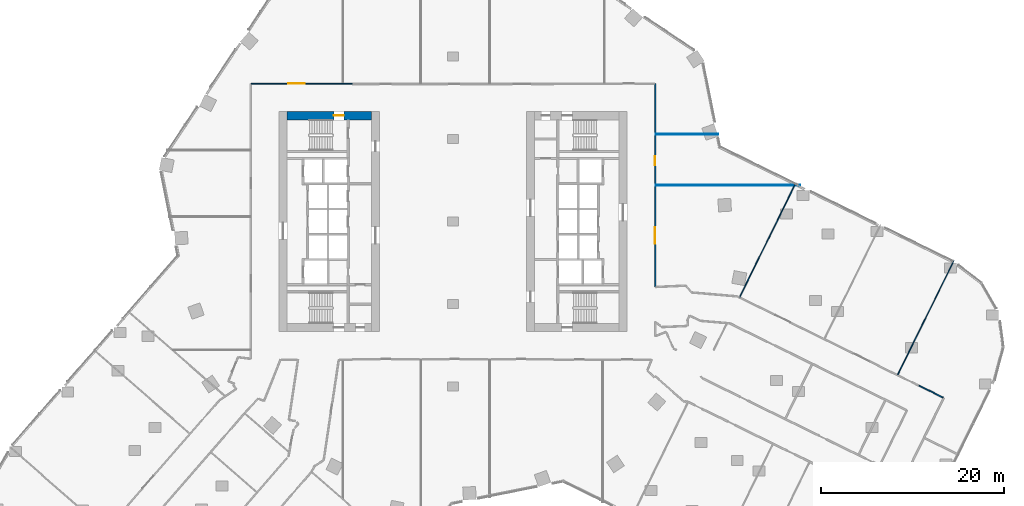
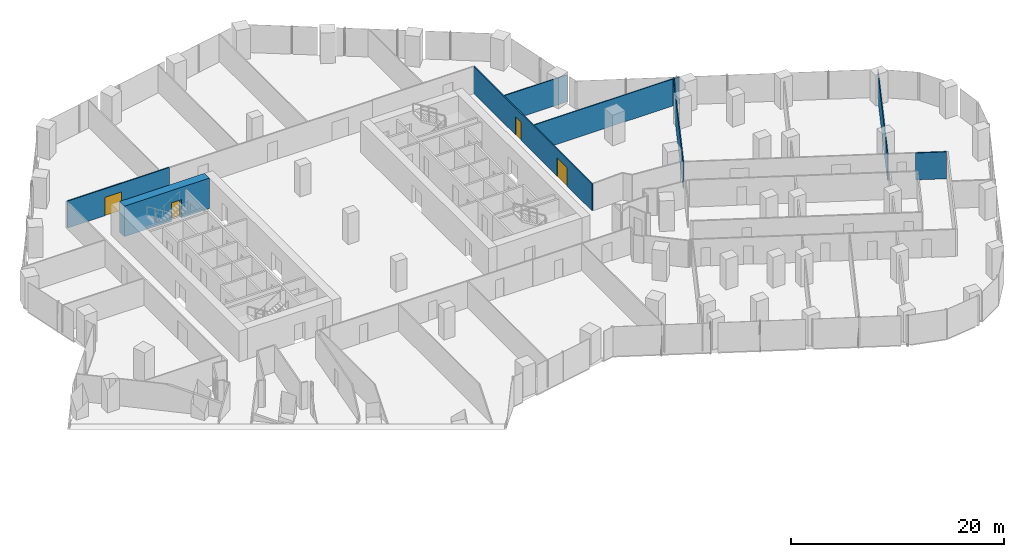
# One storey, part 31 of 38: 8 walls, 4 doors, 4 openings.
"""IFC4 building model written with IfcOpenShell, lengths in metres."""

from ifc_helpers import new_model, si_unit, direction, frame, frame_2d, origin, place, context, subcontext, project, spatial, rectangle, extrude, material, layer, layer_set, type_object, element, fill, save


model = new_model("IFC4")

# Units and contexts
model_context = context("Model", 3, precision=1e-05, world=origin(), true_north=direction((0.0, 1.0)))
body_context = subcontext(model_context, "Body", "Model", "MODEL_VIEW")
ifc_project = project(units=[si_unit("LENGTHUNIT", "METRE"), si_unit("AREAUNIT", "SQUARE_METRE"), si_unit("VOLUMEUNIT", "CUBIC_METRE"), si_unit("PLANEANGLEUNIT", "RADIAN"), si_unit("MASSUNIT", "GRAM", prefix="KILO")], contexts=[model_context])

# Site, building, storey
site_placement = place(None, origin())
site = spatial("IfcSite", under=ifc_project, at=site_placement, CompositionType="ELEMENT")
building_placement = place(site_placement, origin())
building = spatial("IfcBuilding", under=site, at=building_placement, Name="Orlundy Tower", CompositionType="ELEMENT")
storey_placement = place(building_placement, frame((0.0, 0.0, 62.300048828125)))
storey = spatial("IfcBuildingStorey", under=building, at=storey_placement, Name="L14", CompositionType="ELEMENT", Elevation=62.300048828125)

# Wall, opening, door
ifc_material_1 = material(Name="Concrete C80/95", Category="concrete")
ifc_layer_1 = layer(ifc_material_1, 0.89990234375)
ifc_layer_set_1 = layer_set([ifc_layer_1], Name="CORE WALL 900 C80/95")
wall_type_1 = type_object("IfcWallType", Name="CORE WALL 900 C80/95", PredefinedType="SHEAR", material=ifc_layer_set_1)
wall_1_placement = place(storey_placement, frame((-18.10009765625, 11.550048828125, 0.0), z_axis=(0.0, 0.0, 1.0), x_axis=(1.0, 0.0, 0.0)))
wall_1 = element("IfcWall", 1, at=wall_1_placement, inside=storey, type_object=wall_type_1, Name="Core wall W-N L14", PredefinedType="SHEAR", context=body_context, shape_type="SweptSolid", body=[
    extrude(rectangle(XDim=9.2001953125, YDim=0.89990234375, at=frame_2d((4.60009765625, 0.0))), origin(), (0.0, 0.0, 1.0), 3.5),
])
opening_1_placement = place(wall_1_placement, frame((5.10009765625, 0.0, 0.0)))
opening_1 = element("IfcOpeningElement", 2, at=opening_1_placement, cuts=wall_1, Name="Opening 13012", PredefinedType="OPENING", context=body_context, shape_type="SweptSolid", body=[
    extrude(rectangle(XDim=1.10009765625, YDim=2.10009765625, at=frame_2d((0.550048828125, 1.050048828125))), frame((0.0, 0.4599609375, 0.0), z_axis=(0.0, -1.0, 0.0), x_axis=(1.0, 0.0, 0.0)), (0.0, 0.0, 1.0), 0.919921875),
])
ifc_material_2 = material(Name="Steel door set", Category="steel")
door_type_1 = type_object("IfcDoorType", Name="Stair Door 1100x2100", OperationType="SINGLE_SWING_LEFT", PredefinedType="DOOR", material=ifc_material_2)
door_1_placement = place(opening_1_placement, origin())
door_1 = element("IfcDoor", 3, at=door_1_placement, inside=storey, type_object=door_type_1, Name="Stair door 13012", OperationType="SINGLE_SWING_RIGHT", OverallHeight=2.10009765625, OverallWidth=1.10009765625, PredefinedType="DOOR", context=body_context, shape_type="SweptSolid", body=[
    extrude(rectangle(XDim=1.10009765625, YDim=2.10009765625, at=frame_2d((0.550048828125, 1.050048828125))), frame((0.0, 0.02490234375, 0.0), z_axis=(0.0, -1.0, 0.0), x_axis=(1.0, 0.0, 0.0)), (0.0, 0.0, 1.0), 0.050048828125),
])
fill(opening_1, door_1)

# Walls
ifc_material_3 = material(Name="Gypsum board partition")
ifc_layer_2 = layer(ifc_material_3, 0.10009765625)
ifc_layer_set_2 = layer_set([ifc_layer_2], Name="Floor partition 100")
wall_type_2 = type_object("IfcWallType", Name="Floor partition 100", PredefinedType="PARTITIONING", material=ifc_layer_set_2)
wall_2_placement = place(storey_placement, frame((22.113037109375, 3.958984375, 0.0), z_axis=(0.0, 0.0, 1.0), x_axis=(1.0, 0.0, 0.0)))
element("IfcWall", 4, at=wall_2_placement, inside=storey, type_object=wall_type_2, Name="wall-int-L14-047", PredefinedType="PARTITIONING", context=body_context, shape_type="SweptSolid", body=[
    extrude(rectangle(XDim=15.7490234375, YDim=0.10009765625, at=frame_2d((7.87451171875, 0.0))), origin(), (0.0, 0.0, 1.0), 3.079833984375),
])
wall_3_placement = place(storey_placement, frame((22.113037109375, 9.5029296875, 0.0), z_axis=(0.0, 0.0, 1.0), x_axis=(1.0, 0.0, 0.0)))
element("IfcWall", 5, at=wall_3_placement, inside=storey, type_object=wall_type_2, Name="wall-int-L14-049", PredefinedType="PARTITIONING", context=body_context, shape_type="SweptSolid", body=[
    extrude(rectangle(XDim=6.833984375, YDim=0.10009765625, at=frame_2d((3.4169921875, 0.0))), origin(), (0.0, 0.0, 1.0), 3.079833984375),
])
wall_4_placement = place(storey_placement, frame((48.511962890625, -16.68994140625, 0.0), z_axis=(0.0, 0.0, 1.0), x_axis=(0.440935300802, 0.897538890804, 0.0)))
element("IfcWall", 6, at=wall_4_placement, inside=storey, type_object=wall_type_2, Name="wall-int-L14-069", PredefinedType="PARTITIONING", context=body_context, shape_type="SweptSolid", body=[
    extrude(rectangle(XDim=13.836669921875, YDim=0.10009765625, at=frame_2d((6.91845703125, 0.0))), origin(), (0.0, 0.0, 1.0), 3.079833984375),
])
wall_5_placement = place(storey_placement, frame((31.24609375, -8.27587890625, 0.0), z_axis=(0.0, 0.0, 1.0), x_axis=(0.440956509133, 0.897528471445, 0.0)))
element("IfcWall", 7, at=wall_5_placement, inside=storey, type_object=wall_type_2, Name="wall-int-L14-076", PredefinedType="PARTITIONING", context=body_context, shape_type="SweptSolid", body=[
    extrude(rectangle(XDim=13.899169921875, YDim=0.10009765625, at=frame_2d((6.94970703125, 0.0))), origin(), (0.0, 0.0, 1.0), 3.079833984375),
])
ifc_material_4 = material(Name="Gypsum board partition, double layer")
ifc_layer_3 = layer(ifc_material_4, 0.125)
ifc_layer_set_3 = layer_set([ifc_layer_3], Name="Floor partition 125")
wall_type_3 = type_object("IfcWallType", Name="Floor partition 125", PredefinedType="PARTITIONING", material=ifc_layer_set_3)
wall_6_placement = place(storey_placement, frame((53.443115234375, -19.18310546875, 0.0), z_axis=(0.0, 0.0, 1.0), x_axis=(-0.89747781702, 0.441059596832, 0.0)))
element("IfcWall", 8, at=wall_6_placement, inside=storey, type_object=wall_type_3, Name="wall-int-L14-029", PredefinedType="PARTITIONING", context=body_context, shape_type="SweptSolid", body=[
    extrude(rectangle(XDim=2.9248046875, YDim=0.125, at=frame_2d((1.46240234375, 0.0))), origin(), (0.0, 0.0, 1.0), 3.079833984375),
])

# Wall, opening, door
wall_7_placement = place(storey_placement, frame((-21.988037109375, 15.051025390625, 0.0), z_axis=(0.0, 0.0, 1.0), x_axis=(1.0, 0.0, 0.0)))
wall_7 = element("IfcWall", 9, at=wall_7_placement, inside=storey, type_object=wall_type_3, Name="wall-int-L14-051", PredefinedType="PARTITIONING", context=body_context, shape_type="SweptSolid", body=[
    extrude(rectangle(XDim=10.9970703125, YDim=0.125, at=frame_2d((5.49853515625, 0.0))), origin(), (0.0, 0.0, 1.0), 3.079833984375),
])
opening_2_placement = place(wall_7_placement, frame((4.03759765625, 0.0, 0.0)))
opening_2 = element("IfcOpeningElement", 10, at=opening_2_placement, cuts=wall_7, Name="Opening 13139", PredefinedType="OPENING", context=body_context, shape_type="SweptSolid", body=[
    extrude(rectangle(XDim=1.800048828125, YDim=2.10009765625, at=frame_2d((0.89990234375, 1.050048828125))), frame((0.0, 0.072509765625, 0.0), z_axis=(0.0, -1.0, 0.0), x_axis=(1.0, 0.0, 0.0)), (0.0, 0.0, 1.0), 0.14501953125),
])
ifc_material_5 = material(Name="Timber door leaf", Category="wood")
door_type_2 = type_object("IfcDoorType", Name="Floor door double 1800 FD30S", OperationType="NOTDEFINED", PredefinedType="DOOR", material=ifc_material_5)
door_2_placement = place(opening_2_placement, origin())
door_2 = element("IfcDoor", 11, at=door_2_placement, inside=storey, type_object=door_type_2, Name="Door 13139", OperationType="DOUBLE_DOOR_SINGLE_SWING", OverallHeight=2.10009765625, OverallWidth=1.800048828125, PredefinedType="DOOR", context=body_context, shape_type="SweptSolid", body=[
    extrude(rectangle(XDim=1.800048828125, YDim=2.10009765625, at=frame_2d((0.89990234375, 1.050048828125))), frame((0.0, 0.02490234375, 0.0), z_axis=(0.0, -1.0, 0.0), x_axis=(1.0, 0.0, 0.0)), (0.0, 0.0, 1.0), 0.050048828125),
])
fill(opening_2, door_2)

# Wall, openings, doors
wall_8_placement = place(storey_placement, frame((22.051025390625, 15.050048828125, 0.0), z_axis=(0.0, 0.0, 1.0), x_axis=(0.0, -1.0, 0.0)))
wall_8 = element("IfcWall", 12, at=wall_8_placement, inside=storey, type_object=wall_type_3, Name="wall-int-L14-087", PredefinedType="PARTITIONING", context=body_context, shape_type="SweptSolid", body=[
    extrude(rectangle(XDim=22.18115234375, YDim=0.125, at=frame_2d((11.090576171875, 0.0))), origin(), (0.0, 0.0, 1.0), 3.079833984375),
])
opening_3_placement = place(wall_8_placement, frame((15.69091796875, 0.0, 0.0)))
opening_3 = element("IfcOpeningElement", 13, at=opening_3_placement, cuts=wall_8, Name="Opening 13133", PredefinedType="OPENING", context=body_context, shape_type="SweptSolid", body=[
    extrude(rectangle(XDim=1.800048828125, YDim=2.10009765625, at=frame_2d((0.89990234375, 1.050048828125))), frame((0.0, 0.072509765625, 0.0), z_axis=(0.0, -1.0, 0.0), x_axis=(1.0, 0.0, 0.0)), (0.0, 0.0, 1.0), 0.14501953125),
])
opening_4_placement = place(wall_8_placement, frame((7.89697265625, 0.0, 0.0)))
opening_4 = element("IfcOpeningElement", 14, at=opening_4_placement, cuts=wall_8, Name="Opening 13134", PredefinedType="OPENING", context=body_context, shape_type="SweptSolid", body=[
    extrude(rectangle(XDim=1.0, YDim=2.10009765625, at=frame_2d((0.5, 1.050048828125))), frame((0.0, 0.072509765625, 0.0), z_axis=(0.0, -1.0, 0.0), x_axis=(1.0, 0.0, 0.0)), (0.0, 0.0, 1.0), 0.14501953125),
])
door_3_placement = place(opening_3_placement, origin())
door_3 = element("IfcDoor", 15, at=door_3_placement, inside=storey, type_object=door_type_2, Name="Door 13133", OperationType="DOUBLE_DOOR_SINGLE_SWING", OverallHeight=2.10009765625, OverallWidth=1.800048828125, PredefinedType="DOOR", context=body_context, shape_type="SweptSolid", body=[
    extrude(rectangle(XDim=1.800048828125, YDim=2.10009765625, at=frame_2d((0.89990234375, 1.050048828125))), frame((0.0, 0.02490234375, 0.0), z_axis=(0.0, -1.0, 0.0), x_axis=(1.0, 0.0, 0.0)), (0.0, 0.0, 1.0), 0.050048828125),
])
fill(opening_3, door_3)
ifc_material_6 = material(Name="Timber door leaf", Category="wood")
door_type_3 = type_object("IfcDoorType", Name="Floor door wide 1000 FD30S", OperationType="NOTDEFINED", PredefinedType="DOOR", material=ifc_material_6)
door_4_placement = place(opening_4_placement, origin())
door_4 = element("IfcDoor", 16, at=door_4_placement, inside=storey, type_object=door_type_3, Name="Door 13134", OperationType="SINGLE_SWING_LEFT", OverallHeight=2.10009765625, OverallWidth=1.0, PredefinedType="DOOR", context=body_context, shape_type="SweptSolid", body=[
    extrude(rectangle(XDim=1.0, YDim=2.10009765625, at=frame_2d((0.5, 1.050048828125))), frame((0.0, 0.02490234375, 0.0), z_axis=(0.0, -1.0, 0.0), x_axis=(1.0, 0.0, 0.0)), (0.0, 0.0, 1.0), 0.050048828125),
])
fill(opening_4, door_4)

save(model, "model.ifc")
